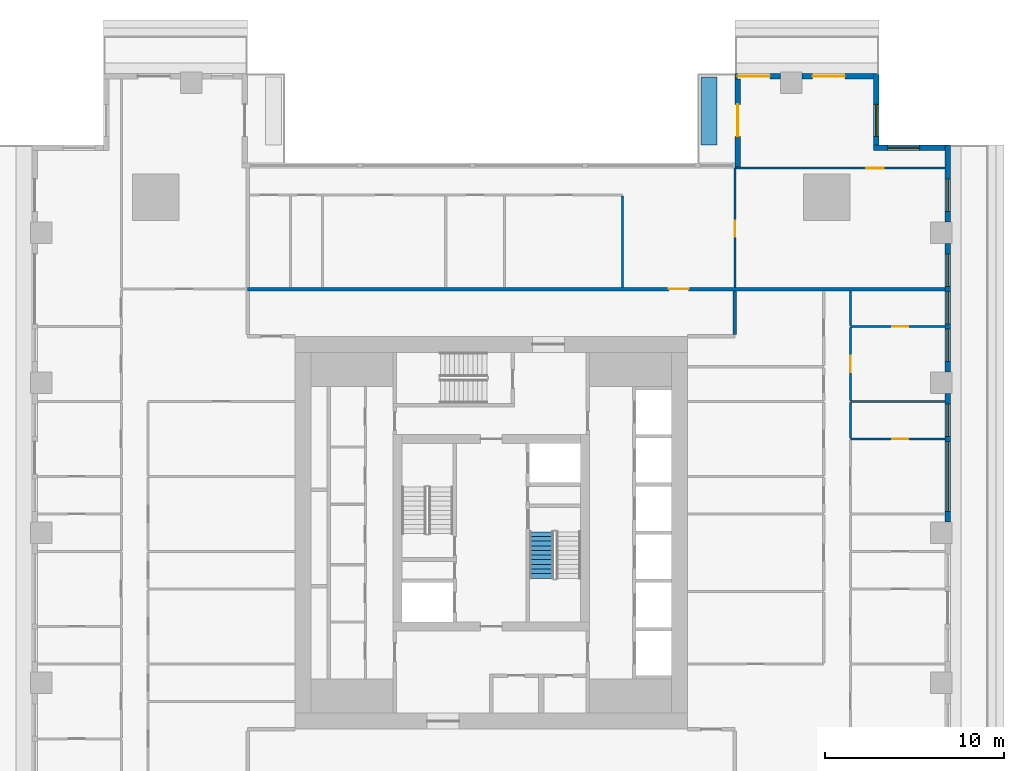
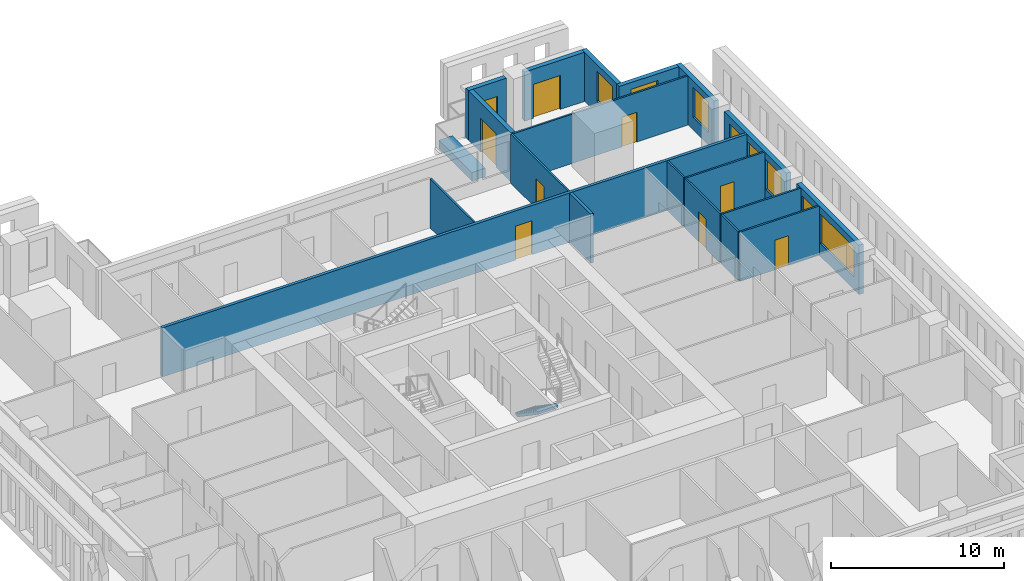
# One storey, part 9 of 16: 20 walls, 9 doors, 8 windows, 1 stair flight, 17 openings, 1 element without a shape of its own.
"""IFC4 building model written with IfcOpenShell, lengths in metres."""

from ifc_helpers import new_model, si_unit, direction, frame, frame_2d, origin, place, context, subcontext, project, spatial, polyline, rectangle, outline, extrude, material, layer, layer_set, type_object, element, fill, aggregate, save


model = new_model("IFC4")

# Units and contexts
model_context = context("Model", 3, precision=1e-05, world=origin(), true_north=direction((0.0, 1.0)))
body_context = subcontext(model_context, "Body", "Model", "MODEL_VIEW")
ifc_project = project(units=[si_unit("LENGTHUNIT", "METRE"), si_unit("AREAUNIT", "SQUARE_METRE"), si_unit("VOLUMEUNIT", "CUBIC_METRE"), si_unit("PLANEANGLEUNIT", "RADIAN"), si_unit("MASSUNIT", "GRAM", prefix="KILO")], contexts=[model_context])

# Site, building, storey
site_placement = place(None, origin())
site = spatial("IfcSite", under=ifc_project, at=site_placement, CompositionType="ELEMENT")
building_placement = place(site_placement, origin())
building = spatial("IfcBuilding", under=site, at=building_placement, Name="Khepri Terraces", CompositionType="ELEMENT")
storey_placement = place(building_placement, frame((0.0, 0.0, 172.800048828125)))
storey = spatial("IfcBuildingStorey", under=building, at=storey_placement, Name="L41", CompositionType="ELEMENT", Elevation=172.800048828125)

# Wall
ifc_material_1 = material(Name="Fire-rated gypsum plasterboard partition, mineral wool")
ifc_layer_1 = layer(ifc_material_1, 0.199951171875, Name="Fire-rated gypsum plasterboard partition, mineral wool")
ifc_layer_set_1 = layer_set([ifc_layer_1], Name="Fire-rated gypsum plasterboard partition, mineral wool")
wall_type_1 = type_object("IfcWallType", Name="WL-CORR-200", PredefinedType="PARTITIONING", material=ifc_layer_set_1)
wall_1_placement = place(storey_placement, frame((13.64990234375, 11.10009765625, 0.0), z_axis=(0.0, 0.0, 1.0), x_axis=(0.0, 1.0, 0.0)))
element("IfcWall", 1, at=wall_1_placement, inside=storey, type_object=wall_type_1, Name="Partition P-086 L41", PredefinedType="PARTITIONING", context=body_context, shape_type="SweptSolid", body=[
    extrude(rectangle(XDim=2.449951171875, YDim=0.199951171875, at=frame_2d((1.22509765625, 0.0))), origin(), (0.0, 0.0, 1.0), 3.47998046875),
])

# Wall, opening, door
wall_2_placement = place(storey_placement, frame((-13.64990234375, 13.64990234375, 0.0), z_axis=(0.0, 0.0, 1.0), x_axis=(1.0, 0.0, 0.0)))
wall_2 = element("IfcWall", 2, at=wall_2_placement, inside=storey, type_object=wall_type_1, Name="Partition P-092 L41", PredefinedType="PARTITIONING", context=body_context, shape_type="SweptSolid", body=[
    extrude(rectangle(XDim=39.06982421875, YDim=0.199951171875, at=frame_2d((19.534912109375, 0.0))), origin(), (0.0, 0.0, 1.0), 3.47998046875),
])
opening_1_placement = place(wall_2_placement, frame((23.60009765625, 0.0, 0.0)))
opening_1 = element("IfcOpeningElement", 3, at=opening_1_placement, cuts=wall_2, Name="Opening D1", PredefinedType="OPENING", context=body_context, shape_type="SweptSolid", body=[
    extrude(rectangle(XDim=1.10009765625, YDim=2.39990234375, at=frame_2d((0.550048828125, 1.199951171875))), frame((0.0, 0.10986328125, 0.0), z_axis=(0.0, -1.0, 0.0), x_axis=(1.0, 0.0, 0.0)), (0.0, 0.0, 1.0), 0.219970703125),
])
ifc_material_2 = material(Name="Solid-core timber door leaf, flat entrance door", Category="wood")
door_type_1 = type_object("IfcDoorType", Name="DR-ENT-1100", OperationType="NOTDEFINED", PredefinedType="DOOR", material=ifc_material_2)
door_1_placement = place(opening_1_placement, origin())
door_1 = element("IfcDoor", 4, at=door_1_placement, inside=storey, type_object=door_type_1, Name="Flat C1 entrance door", OperationType="SINGLE_SWING_RIGHT", OverallHeight=2.39990234375, OverallWidth=1.10009765625, PredefinedType="DOOR", context=body_context, shape_type="SweptSolid", body=[
    extrude(rectangle(XDim=1.10009765625, YDim=2.39990234375, at=frame_2d((0.550048828125, 1.199951171875))), frame((0.0, 0.02490234375, 0.0), z_axis=(0.0, -1.0, 0.0), x_axis=(1.0, 0.0, 0.0)), (0.0, 0.0, 1.0), 0.050048828125),
])
fill(opening_1, door_1)

# Wall, openings, windows
ifc_material_3 = material(Name="Precast concrete C50/60 warm stone", Category="masonry")
ifc_layer_2 = layer(ifc_material_3, 0.300048828125, Name="Precast concrete C50/60 warm stone", Category="masonry")
ifc_layer_set_2 = layer_set([ifc_layer_2], Name="Precast concrete C50/60 warm stone")
wall_type_2 = type_object("IfcWallType", Name="WL-EXT-PRECAST-300", PredefinedType="STANDARD", material=ifc_layer_set_2)
wall_3_placement = place(storey_placement, frame((25.570068359375, 0.60009765625, 0.0), z_axis=(0.0, 0.0, 1.0), x_axis=(0.0, 1.0, 0.0)))
wall_3 = element("IfcWall", 5, at=wall_3_placement, inside=storey, type_object=wall_type_2, Name="External wall L41 E", PredefinedType="STANDARD", context=body_context, shape_type="SweptSolid", body=[
    extrude(rectangle(XDim=7.199951171875, YDim=0.300048828125, at=frame_2d((3.60009765625, 0.0))), origin(), (0.0, 0.0, 1.0), 3.47998046875),
])
opening_2_placement = place(wall_3_placement, frame((0.60009765625, 0.0, 0.89990234375)))
opening_2 = element("IfcOpeningElement", 6, at=opening_2_placement, cuts=wall_3, Name="Opening W2", PredefinedType="OPENING", context=body_context, shape_type="SweptSolid", body=[
    extrude(rectangle(XDim=3.89990234375, YDim=2.10009765625, at=frame_2d((1.949951171875, 1.050048828125))), frame((0.0, 0.16015625, 0.0), z_axis=(0.0, -1.0, 0.0), x_axis=(1.0, 0.0, 0.0)), (0.0, 0.0, 1.0), 0.320068359375),
])
opening_3_placement = place(wall_3_placement, frame((4.800048828125, 0.0, 0.89990234375)))
opening_3 = element("IfcOpeningElement", 7, at=opening_3_placement, cuts=wall_3, Name="Opening W1", PredefinedType="OPENING", context=body_context, shape_type="SweptSolid", body=[
    extrude(rectangle(XDim=1.800048828125, YDim=2.10009765625, at=frame_2d((0.89990234375, 1.050048828125))), frame((0.0, 0.16015625, 0.0), z_axis=(0.0, -1.0, 0.0), x_axis=(1.0, 0.0, 0.0)), (0.0, 0.0, 1.0), 0.320068359375),
])
ifc_material_4 = material(Name="Clear glass", Category="glass")
window_type_1 = type_object("IfcWindowType", Name="WIN-RES-1800x2100", PartitioningType="SINGLE_PANEL", PredefinedType="WINDOW", material=ifc_material_4)
window_1_placement = place(opening_3_placement, origin())
window_1 = element("IfcWindow", 8, at=window_1_placement, inside=storey, type_object=window_type_1, Name="Window L41 E", OverallHeight=2.10009765625, OverallWidth=1.800048828125, PartitioningType="SINGLE_PANEL", PredefinedType="WINDOW", context=body_context, shape_type="SweptSolid", body=[
    extrude(rectangle(XDim=1.800048828125, YDim=2.10009765625, at=frame_2d((0.89990234375, 1.050048828125))), frame((0.0, 0.030029296875, 0.0), z_axis=(0.0, -1.0, 0.0), x_axis=(1.0, 0.0, 0.0)), (0.0, 0.0, 1.0), 0.06005859375),
])
fill(opening_3, window_1)
window_type_2 = type_object("IfcWindowType", Name="WIN-RES-3900x2100", PartitioningType="SINGLE_PANEL", PredefinedType="WINDOW", material=ifc_material_4)
window_2_placement = place(opening_2_placement, origin())
window_2 = element("IfcWindow", 9, at=window_2_placement, inside=storey, type_object=window_type_2, Name="Window L41 E", OverallHeight=2.10009765625, OverallWidth=3.89990234375, PartitioningType="SINGLE_PANEL", PredefinedType="WINDOW", context=body_context, shape_type="SweptSolid", body=[
    extrude(rectangle(XDim=3.89990234375, YDim=2.10009765625, at=frame_2d((1.949951171875, 1.050048828125))), frame((0.0, 0.030029296875, 0.0), z_axis=(0.0, -1.0, 0.0), x_axis=(1.0, 0.0, 0.0)), (0.0, 0.0, 1.0), 0.06005859375),
])
fill(opening_2, window_2)

wall_4_placement = place(storey_placement, frame((25.570068359375, 9.0, 0.0), z_axis=(0.0, 0.0, 1.0), x_axis=(0.0, 1.0, 0.0)))
wall_4 = element("IfcWall", 10, at=wall_4_placement, inside=storey, type_object=wall_type_2, Name="External wall L41 E", PredefinedType="STANDARD", context=body_context, shape_type="SweptSolid", body=[
    extrude(rectangle(XDim=7.199951171875, YDim=0.300048828125, at=frame_2d((3.60009765625, 0.0))), origin(), (0.0, 0.0, 1.0), 3.47998046875),
])
opening_4_placement = place(wall_4_placement, frame((0.60009765625, 0.0, 0.89990234375)))
opening_4 = element("IfcOpeningElement", 11, at=opening_4_placement, cuts=wall_4, Name="Opening W1", PredefinedType="OPENING", context=body_context, shape_type="SweptSolid", body=[
    extrude(rectangle(XDim=1.800048828125, YDim=2.10009765625, at=frame_2d((0.89990234375, 1.050048828125))), frame((0.0, 0.16015625, 0.0), z_axis=(0.0, -1.0, 0.0), x_axis=(1.0, 0.0, 0.0)), (0.0, 0.0, 1.0), 0.320068359375),
])
opening_5_placement = place(wall_4_placement, frame((2.699951171875, 0.0, 0.89990234375)))
opening_5 = element("IfcOpeningElement", 12, at=opening_5_placement, cuts=wall_4, Name="Opening W1", PredefinedType="OPENING", context=body_context, shape_type="SweptSolid", body=[
    extrude(rectangle(XDim=1.800048828125, YDim=2.10009765625, at=frame_2d((0.89990234375, 1.050048828125))), frame((0.0, 0.16015625, 0.0), z_axis=(0.0, -1.0, 0.0), x_axis=(1.0, 0.0, 0.0)), (0.0, 0.0, 1.0), 0.320068359375),
])
opening_6_placement = place(wall_4_placement, frame((4.800048828125, 0.0, 0.89990234375)))
opening_6 = element("IfcOpeningElement", 13, at=opening_6_placement, cuts=wall_4, Name="Opening W1", PredefinedType="OPENING", context=body_context, shape_type="SweptSolid", body=[
    extrude(rectangle(XDim=1.800048828125, YDim=2.10009765625, at=frame_2d((0.89990234375, 1.050048828125))), frame((0.0, 0.16015625, 0.0), z_axis=(0.0, -1.0, 0.0), x_axis=(1.0, 0.0, 0.0)), (0.0, 0.0, 1.0), 0.320068359375),
])
window_3_placement = place(opening_4_placement, origin())
window_3 = element("IfcWindow", 14, at=window_3_placement, inside=storey, type_object=window_type_1, Name="Window L41 E", OverallHeight=2.10009765625, OverallWidth=1.800048828125, PartitioningType="SINGLE_PANEL", PredefinedType="WINDOW", context=body_context, shape_type="SweptSolid", body=[
    extrude(rectangle(XDim=1.800048828125, YDim=2.10009765625, at=frame_2d((0.89990234375, 1.050048828125))), frame((0.0, 0.030029296875, 0.0), z_axis=(0.0, -1.0, 0.0), x_axis=(1.0, 0.0, 0.0)), (0.0, 0.0, 1.0), 0.06005859375),
])
fill(opening_4, window_3)
window_4_placement = place(opening_5_placement, origin())
window_4 = element("IfcWindow", 15, at=window_4_placement, inside=storey, type_object=window_type_1, Name="Window L41 E", OverallHeight=2.10009765625, OverallWidth=1.800048828125, PartitioningType="SINGLE_PANEL", PredefinedType="WINDOW", context=body_context, shape_type="SweptSolid", body=[
    extrude(rectangle(XDim=1.800048828125, YDim=2.10009765625, at=frame_2d((0.89990234375, 1.050048828125))), frame((0.0, 0.030029296875, 0.0), z_axis=(0.0, -1.0, 0.0), x_axis=(1.0, 0.0, 0.0)), (0.0, 0.0, 1.0), 0.06005859375),
])
fill(opening_5, window_4)
window_5_placement = place(opening_6_placement, origin())
window_5 = element("IfcWindow", 16, at=window_5_placement, inside=storey, type_object=window_type_1, Name="Window L41 E", OverallHeight=2.10009765625, OverallWidth=1.800048828125, PartitioningType="SINGLE_PANEL", PredefinedType="WINDOW", context=body_context, shape_type="SweptSolid", body=[
    extrude(rectangle(XDim=1.800048828125, YDim=2.10009765625, at=frame_2d((0.89990234375, 1.050048828125))), frame((0.0, 0.030029296875, 0.0), z_axis=(0.0, -1.0, 0.0), x_axis=(1.0, 0.0, 0.0)), (0.0, 0.0, 1.0), 0.06005859375),
])
fill(opening_6, window_5)

# Wall, opening, window
wall_5_placement = place(storey_placement, frame((25.570068359375, 17.39990234375, 0.0), z_axis=(0.0, 0.0, 1.0), x_axis=(0.0, 1.0, 0.0)))
wall_5 = element("IfcWall", 17, at=wall_5_placement, inside=storey, type_object=wall_type_2, Name="External wall L41 E", PredefinedType="STANDARD", context=body_context, shape_type="SweptSolid", body=[
    extrude(rectangle(XDim=4.320068359375, YDim=0.300048828125, at=frame_2d((2.16015625, 0.0))), origin(), (0.0, 0.0, 1.0), 3.47998046875),
])
opening_7_placement = place(wall_5_placement, frame((0.60009765625, 0.0, 0.89990234375)))
opening_7 = element("IfcOpeningElement", 18, at=opening_7_placement, cuts=wall_5, Name="Opening W1", PredefinedType="OPENING", context=body_context, shape_type="SweptSolid", body=[
    extrude(rectangle(XDim=1.800048828125, YDim=2.10009765625, at=frame_2d((0.89990234375, 1.050048828125))), frame((0.0, 0.16015625, 0.0), z_axis=(0.0, -1.0, 0.0), x_axis=(1.0, 0.0, 0.0)), (0.0, 0.0, 1.0), 0.320068359375),
])
window_6_placement = place(opening_7_placement, origin())
window_6 = element("IfcWindow", 19, at=window_6_placement, inside=storey, type_object=window_type_1, Name="Window L41 E", OverallHeight=2.10009765625, OverallWidth=1.800048828125, PartitioningType="SINGLE_PANEL", PredefinedType="WINDOW", context=body_context, shape_type="SweptSolid", body=[
    extrude(rectangle(XDim=1.800048828125, YDim=2.10009765625, at=frame_2d((0.89990234375, 1.050048828125))), frame((0.0, 0.030029296875, 0.0), z_axis=(0.0, -1.0, 0.0), x_axis=(1.0, 0.0, 0.0)), (0.0, 0.0, 1.0), 0.06005859375),
])
fill(opening_7, window_6)

wall_6_placement = place(storey_placement, frame((25.419921875, 21.570068359375, 0.0), z_axis=(0.0, 0.0, 1.0), x_axis=(-1.0, 0.0, 0.0)))
wall_6 = element("IfcWall", 20, at=wall_6_placement, inside=storey, type_object=wall_type_2, Name="External wall L41 N", PredefinedType="STANDARD", context=body_context, shape_type="SweptSolid", body=[
    extrude(rectangle(XDim=4.0, YDim=0.300048828125, at=frame_2d((2.0, 0.0))), origin(), (0.0, 0.0, 1.0), 3.47998046875),
])
opening_8_placement = place(wall_6_placement, frame((1.419921875, 0.0, 0.89990234375)))
opening_8 = element("IfcOpeningElement", 21, at=opening_8_placement, cuts=wall_6, Name="Opening W1", PredefinedType="OPENING", context=body_context, shape_type="SweptSolid", body=[
    extrude(rectangle(XDim=1.800048828125, YDim=2.10009765625, at=frame_2d((0.89990234375, 1.050048828125))), frame((0.0, 0.16015625, 0.0), z_axis=(0.0, -1.0, 0.0), x_axis=(1.0, 0.0, 0.0)), (0.0, 0.0, 1.0), 0.320068359375),
])
window_7_placement = place(opening_8_placement, origin())
window_7 = element("IfcWindow", 22, at=window_7_placement, inside=storey, type_object=window_type_1, Name="Window L41 N", OverallHeight=2.10009765625, OverallWidth=1.800048828125, PartitioningType="SINGLE_PANEL", PredefinedType="WINDOW", context=body_context, shape_type="SweptSolid", body=[
    extrude(rectangle(XDim=1.800048828125, YDim=2.10009765625, at=frame_2d((0.89990234375, 1.050048828125))), frame((0.0, 0.030029296875, 0.0), z_axis=(0.0, -1.0, 0.0), x_axis=(1.0, 0.0, 0.0)), (0.0, 0.0, 1.0), 0.06005859375),
])
fill(opening_8, window_7)

wall_7_placement = place(storey_placement, frame((21.570068359375, 21.719970703125, 0.0), z_axis=(0.0, 0.0, 1.0), x_axis=(0.0, 1.0, 0.0)))
wall_7 = element("IfcWall", 23, at=wall_7_placement, inside=storey, type_object=wall_type_2, Name="External wall L41 E", PredefinedType="STANDARD", context=body_context, shape_type="SweptSolid", body=[
    extrude(rectangle(XDim=4.0, YDim=0.300048828125, at=frame_2d((2.0, 0.0))), origin(), (0.0, 0.0, 1.0), 3.47998046875),
])
opening_9_placement = place(wall_7_placement, frame((0.47998046875, 0.0, 0.89990234375)))
opening_9 = element("IfcOpeningElement", 24, at=opening_9_placement, cuts=wall_7, Name="Opening W1", PredefinedType="OPENING", context=body_context, shape_type="SweptSolid", body=[
    extrude(rectangle(XDim=1.800048828125, YDim=2.10009765625, at=frame_2d((0.89990234375, 1.050048828125))), frame((0.0, 0.16015625, 0.0), z_axis=(0.0, -1.0, 0.0), x_axis=(1.0, 0.0, 0.0)), (0.0, 0.0, 1.0), 0.320068359375),
])
window_8_placement = place(opening_9_placement, origin())
window_8 = element("IfcWindow", 25, at=window_8_placement, inside=storey, type_object=window_type_1, Name="Window L41 E", OverallHeight=2.10009765625, OverallWidth=1.800048828125, PartitioningType="SINGLE_PANEL", PredefinedType="WINDOW", context=body_context, shape_type="SweptSolid", body=[
    extrude(rectangle(XDim=1.800048828125, YDim=2.10009765625, at=frame_2d((0.89990234375, 1.050048828125))), frame((0.0, 0.030029296875, 0.0), z_axis=(0.0, -1.0, 0.0), x_axis=(1.0, 0.0, 0.0)), (0.0, 0.0, 1.0), 0.06005859375),
])
fill(opening_9, window_8)

# Wall, opening, door
wall_8_placement = place(storey_placement, frame((21.419921875, 25.570068359375, 0.0), z_axis=(0.0, 0.0, 1.0), x_axis=(-1.0, 0.0, 0.0)))
wall_8 = element("IfcWall", 26, at=wall_8_placement, inside=storey, type_object=wall_type_2, Name="External wall L41 N", PredefinedType="STANDARD", context=body_context, shape_type="SweptSolid", body=[
    extrude(rectangle(XDim=4.02001953125, YDim=0.300048828125, at=frame_2d((2.010009765625, 0.0))), origin(), (0.0, 0.0, 1.0), 3.47998046875),
])
opening_10_placement = place(wall_8_placement, frame((1.6201171875, 0.0, 0.0)))
opening_10 = element("IfcOpeningElement", 27, at=opening_10_placement, cuts=wall_8, Name="Opening ED-L41-04", PredefinedType="OPENING", context=body_context, shape_type="SweptSolid", body=[
    extrude(rectangle(XDim=1.800048828125, YDim=2.39990234375, at=frame_2d((0.89990234375, 1.199951171875))), frame((0.0, 0.16015625, 0.0), z_axis=(0.0, -1.0, 0.0), x_axis=(1.0, 0.0, 0.0)), (0.0, 0.0, 1.0), 0.320068359375),
])
ifc_material_5 = material(Name="Anodised aluminium bronze glazed door", Category="aluminium")
door_type_2 = type_object("IfcDoorType", Name="DR-BAL-SLIDE-1800x2400", OperationType="NOTDEFINED", PredefinedType="DOOR", material=ifc_material_5)
door_2_placement = place(opening_10_placement, origin())
door_2 = element("IfcDoor", 28, at=door_2_placement, inside=storey, type_object=door_type_2, Name="Balcony door L41 N", OperationType="SLIDING_TO_RIGHT", OverallHeight=2.39990234375, OverallWidth=1.800048828125, PredefinedType="DOOR", context=body_context, shape_type="SweptSolid", body=[
    extrude(rectangle(XDim=1.800048828125, YDim=2.39990234375, at=frame_2d((0.89990234375, 1.199951171875))), frame((0.0, 0.02490234375, 0.0), z_axis=(0.0, -1.0, 0.0), x_axis=(1.0, 0.0, 0.0)), (0.0, 0.0, 1.0), 0.050048828125),
])
fill(opening_10, door_2)

wall_9_placement = place(storey_placement, frame((16.199951171875, 25.570068359375, 0.0), z_axis=(0.0, 0.0, 1.0), x_axis=(-1.0, 0.0, 0.0)))
wall_9 = element("IfcWall", 29, at=wall_9_placement, inside=storey, type_object=wall_type_2, Name="External wall L41 N", PredefinedType="STANDARD", context=body_context, shape_type="SweptSolid", body=[
    extrude(rectangle(XDim=2.550048828125, YDim=0.300048828125, at=frame_2d((1.27490234375, 0.0))), origin(), (0.0, 0.0, 1.0), 3.47998046875),
])
opening_11_placement = place(wall_9_placement, frame((0.60009765625, 0.0, 0.0)))
opening_11 = element("IfcOpeningElement", 30, at=opening_11_placement, cuts=wall_9, Name="Opening ED-L41-05", PredefinedType="OPENING", context=body_context, shape_type="SweptSolid", body=[
    extrude(rectangle(XDim=1.800048828125, YDim=2.39990234375, at=frame_2d((0.89990234375, 1.199951171875))), frame((0.0, 0.16015625, 0.0), z_axis=(0.0, -1.0, 0.0), x_axis=(1.0, 0.0, 0.0)), (0.0, 0.0, 1.0), 0.320068359375),
])
door_3_placement = place(opening_11_placement, origin())
door_3 = element("IfcDoor", 31, at=door_3_placement, inside=storey, type_object=door_type_2, Name="Balcony door L41 N", OperationType="SLIDING_TO_LEFT", OverallHeight=2.39990234375, OverallWidth=1.800048828125, PredefinedType="DOOR", context=body_context, shape_type="SweptSolid", body=[
    extrude(rectangle(XDim=1.800048828125, YDim=2.39990234375, at=frame_2d((0.89990234375, 1.199951171875))), frame((0.0, 0.02490234375, 0.0), z_axis=(0.0, -1.0, 0.0), x_axis=(1.0, 0.0, 0.0)), (0.0, 0.0, 1.0), 0.050048828125),
])
fill(opening_11, door_3)

wall_10_placement = place(storey_placement, frame((13.800048828125, 25.419921875, 0.0), z_axis=(0.0, 0.0, 1.0), x_axis=(0.0, -1.0, 0.0)))
wall_10 = element("IfcWall", 32, at=wall_10_placement, inside=storey, type_object=wall_type_2, Name="External wall L41 W", PredefinedType="STANDARD", context=body_context, shape_type="SweptSolid", body=[
    extrude(rectangle(XDim=5.0, YDim=0.300048828125, at=frame_2d((2.5, 0.0))), origin(), (0.0, 0.0, 1.0), 3.47998046875),
])
opening_12_placement = place(wall_10_placement, frame((1.419921875, 0.0, 0.0)))
opening_12 = element("IfcOpeningElement", 33, at=opening_12_placement, cuts=wall_10, Name="Opening ED-L41-06", PredefinedType="OPENING", context=body_context, shape_type="SweptSolid", body=[
    extrude(rectangle(XDim=1.800048828125, YDim=2.39990234375, at=frame_2d((0.89990234375, 1.199951171875))), frame((0.0, 0.16015625, 0.0), z_axis=(0.0, -1.0, 0.0), x_axis=(1.0, 0.0, 0.0)), (0.0, 0.0, 1.0), 0.320068359375),
])
door_4_placement = place(opening_12_placement, origin())
door_4 = element("IfcDoor", 34, at=door_4_placement, inside=storey, type_object=door_type_2, Name="Balcony door L41 W", OperationType="SLIDING_TO_LEFT", OverallHeight=2.39990234375, OverallWidth=1.800048828125, PredefinedType="DOOR", context=body_context, shape_type="SweptSolid", body=[
    extrude(rectangle(XDim=1.800048828125, YDim=2.39990234375, at=frame_2d((0.89990234375, 1.199951171875))), frame((0.0, 0.02490234375, 0.0), z_axis=(0.0, -1.0, 0.0), x_axis=(1.0, 0.0, 0.0)), (0.0, 0.0, 1.0), 0.050048828125),
])
fill(opening_12, door_4)

ifc_material_6 = material(Name="Gypsum plasterboard partition")
ifc_layer_3 = layer(ifc_material_6, 0.1201171875, Name="Gypsum plasterboard partition")
ifc_layer_set_3 = layer_set([ifc_layer_3], Name="Gypsum plasterboard partition")
wall_type_3 = type_object("IfcWallType", Name="WL-PART-120", PredefinedType="PARTITIONING", material=ifc_layer_set_3)
wall_11_placement = place(storey_placement, frame((20.1201171875, 5.25, 0.0), z_axis=(0.0, 0.0, 1.0), x_axis=(1.0, 0.0, 0.0)))
wall_11 = element("IfcWall", 35, at=wall_11_placement, inside=storey, type_object=wall_type_3, Name="Partition P-072 L41", PredefinedType="PARTITIONING", context=body_context, shape_type="SweptSolid", body=[
    extrude(rectangle(XDim=5.2998046875, YDim=0.1201171875, at=frame_2d((2.64990234375, 0.0))), origin(), (0.0, 0.0, 1.0), 3.47998046875),
])
opening_13_placement = place(wall_11_placement, frame((2.35009765625, 0.0, 0.0)))
opening_13 = element("IfcOpeningElement", 36, at=opening_13_placement, cuts=wall_11, Name="Opening D4", PredefinedType="OPENING", context=body_context, shape_type="SweptSolid", body=[
    extrude(rectangle(XDim=0.89990234375, YDim=2.10009765625, at=frame_2d((0.449951171875, 1.050048828125))), frame((0.0, 0.070068359375, 0.0), z_axis=(0.0, -1.0, 0.0), x_axis=(1.0, 0.0, 0.0)), (0.0, 0.0, 1.0), 0.14013671875),
])
ifc_material_7 = material(Name="Timber door leaf, moisture resistant", Category="wood")
door_type_3 = type_object("IfcDoorType", Name="DR-WET-900", OperationType="NOTDEFINED", PredefinedType="DOOR", material=ifc_material_7)
door_5_placement = place(opening_13_placement, origin())
door_5 = element("IfcDoor", 37, at=door_5_placement, inside=storey, type_object=door_type_3, Name="Door Bathroom", OperationType="SINGLE_SWING_RIGHT", OverallHeight=2.10009765625, OverallWidth=0.89990234375, PredefinedType="DOOR", context=body_context, shape_type="SweptSolid", body=[
    extrude(rectangle(XDim=0.89990234375, YDim=2.10009765625, at=frame_2d((0.449951171875, 1.050048828125))), frame((0.0, 0.02490234375, 0.0), z_axis=(0.0, -1.0, 0.0), x_axis=(1.0, 0.0, 0.0)), (0.0, 0.0, 1.0), 0.050048828125),
])
fill(opening_13, door_5)

# Walls
wall_12_placement = place(storey_placement, frame((20.1201171875, 5.31005859375, 0.0), z_axis=(0.0, 0.0, 1.0), x_axis=(0.0, 1.0, 0.0)))
element("IfcWall", 38, at=wall_12_placement, inside=storey, type_object=wall_type_3, Name="Partition P-073 L41", PredefinedType="PARTITIONING", context=body_context, shape_type="SweptSolid", body=[
    extrude(rectangle(XDim=1.97998046875, YDim=0.1201171875, at=frame_2d((0.989990234375, 0.0))), origin(), (0.0, 0.0, 1.0), 3.47998046875),
])
wall_13_placement = place(storey_placement, frame((20.1201171875, 7.35009765625, 0.0), z_axis=(0.0, 0.0, 1.0), x_axis=(1.0, 0.0, 0.0)))
element("IfcWall", 39, at=wall_13_placement, inside=storey, type_object=wall_type_3, Name="Partition P-077 L41", PredefinedType="PARTITIONING", context=body_context, shape_type="SweptSolid", body=[
    extrude(rectangle(XDim=5.2998046875, YDim=0.1201171875, at=frame_2d((2.64990234375, 0.0))), origin(), (0.0, 0.0, 1.0), 3.47998046875),
])

# Wall, opening, door
wall_14_placement = place(storey_placement, frame((20.1201171875, 7.409912109375, 0.0), z_axis=(0.0, 0.0, 1.0), x_axis=(0.0, 1.0, 0.0)))
wall_14 = element("IfcWall", 40, at=wall_14_placement, inside=storey, type_object=wall_type_3, Name="Partition P-080 L41", PredefinedType="PARTITIONING", context=body_context, shape_type="SweptSolid", body=[
    extrude(rectangle(XDim=4.080078125, YDim=0.1201171875, at=frame_2d((2.0400390625, 0.0))), origin(), (0.0, 0.0, 1.0), 3.47998046875),
])
opening_14_placement = place(wall_14_placement, frame((1.590087890625, 0.0, 0.0)))
opening_14 = element("IfcOpeningElement", 41, at=opening_14_placement, cuts=wall_14, Name="Opening D3", PredefinedType="OPENING", context=body_context, shape_type="SweptSolid", body=[
    extrude(rectangle(XDim=0.89990234375, YDim=2.10009765625, at=frame_2d((0.449951171875, 1.050048828125))), frame((0.0, 0.070068359375, 0.0), z_axis=(0.0, -1.0, 0.0), x_axis=(1.0, 0.0, 0.0)), (0.0, 0.0, 1.0), 0.14013671875),
])
ifc_material_8 = material(Name="Timber door leaf", Category="wood")
door_type_4 = type_object("IfcDoorType", Name="DR-INT-900", OperationType="NOTDEFINED", PredefinedType="DOOR", material=ifc_material_8)
door_6_placement = place(opening_14_placement, frame((0.89990234375, 0.0, 0.0), z_axis=(0.0, 0.0, 1.0), x_axis=(-1.0, 0.0, 0.0)))
door_6 = element("IfcDoor", 42, at=door_6_placement, inside=storey, type_object=door_type_4, Name="Door Bedroom", OperationType="SINGLE_SWING_RIGHT", OverallHeight=2.10009765625, OverallWidth=0.89990234375, PredefinedType="DOOR", context=body_context, shape_type="SweptSolid", body=[
    extrude(rectangle(XDim=0.89990234375, YDim=2.10009765625, at=frame_2d((0.449951171875, 1.050048828125))), frame((0.0, 0.02490234375, 0.0), z_axis=(0.0, -1.0, 0.0), x_axis=(1.0, 0.0, 0.0)), (0.0, 0.0, 1.0), 0.050048828125),
])
fill(opening_14, door_6)

wall_15_placement = place(storey_placement, frame((20.1201171875, 11.550048828125, 0.0), z_axis=(0.0, 0.0, 1.0), x_axis=(1.0, 0.0, 0.0)))
wall_15 = element("IfcWall", 43, at=wall_15_placement, inside=storey, type_object=wall_type_3, Name="Partition P-088 L41", PredefinedType="PARTITIONING", context=body_context, shape_type="SweptSolid", body=[
    extrude(rectangle(XDim=5.2998046875, YDim=0.1201171875, at=frame_2d((2.64990234375, 0.0))), origin(), (0.0, 0.0, 1.0), 3.47998046875),
])
opening_15_placement = place(wall_15_placement, frame((2.35009765625, 0.0, 0.0)))
opening_15 = element("IfcOpeningElement", 44, at=opening_15_placement, cuts=wall_15, Name="Opening D4", PredefinedType="OPENING", context=body_context, shape_type="SweptSolid", body=[
    extrude(rectangle(XDim=0.89990234375, YDim=2.10009765625, at=frame_2d((0.449951171875, 1.050048828125))), frame((0.0, 0.070068359375, 0.0), z_axis=(0.0, -1.0, 0.0), x_axis=(1.0, 0.0, 0.0)), (0.0, 0.0, 1.0), 0.14013671875),
])
door_7_placement = place(opening_15_placement, origin())
door_7 = element("IfcDoor", 45, at=door_7_placement, inside=storey, type_object=door_type_3, Name="Door Bathroom", OperationType="SINGLE_SWING_RIGHT", OverallHeight=2.10009765625, OverallWidth=0.89990234375, PredefinedType="DOOR", context=body_context, shape_type="SweptSolid", body=[
    extrude(rectangle(XDim=0.89990234375, YDim=2.10009765625, at=frame_2d((0.449951171875, 1.050048828125))), frame((0.0, 0.02490234375, 0.0), z_axis=(0.0, -1.0, 0.0), x_axis=(1.0, 0.0, 0.0)), (0.0, 0.0, 1.0), 0.050048828125),
])
fill(opening_15, door_7)

# Walls
wall_16_placement = place(storey_placement, frame((20.1201171875, 11.610107421875, 0.0), z_axis=(0.0, 0.0, 1.0), x_axis=(0.0, 1.0, 0.0)))
element("IfcWall", 46, at=wall_16_placement, inside=storey, type_object=wall_type_3, Name="Partition P-090 L41", PredefinedType="PARTITIONING", context=body_context, shape_type="SweptSolid", body=[
    extrude(rectangle(XDim=1.93994140625, YDim=0.1201171875, at=frame_2d((0.969970703125, 0.0))), origin(), (0.0, 0.0, 1.0), 3.47998046875),
])
wall_17_placement = place(storey_placement, frame((7.35009765625, 13.75, 0.0), z_axis=(0.0, 0.0, 1.0), x_axis=(0.0, 1.0, 0.0)))
element("IfcWall", 47, at=wall_17_placement, inside=storey, type_object=wall_type_3, Name="Partition P-099 L41", PredefinedType="PARTITIONING", context=body_context, shape_type="SweptSolid", body=[
    extrude(rectangle(XDim=5.110107421875, YDim=0.1201171875, at=frame_2d((2.55517578125, 0.0))), origin(), (0.0, 0.0, 1.0), 3.47998046875),
])

# Wall, opening, door
wall_18_placement = place(storey_placement, frame((13.64990234375, 13.75, 0.0), z_axis=(0.0, 0.0, 1.0), x_axis=(0.0, 1.0, 0.0)))
wall_18 = element("IfcWall", 48, at=wall_18_placement, inside=storey, type_object=wall_type_3, Name="Partition P-100 L41", PredefinedType="PARTITIONING", context=body_context, shape_type="SweptSolid", body=[
    extrude(rectangle(XDim=6.6689453125, YDim=0.1201171875, at=frame_2d((3.33447265625, 0.0))), origin(), (0.0, 0.0, 1.0), 3.47998046875),
])
opening_16_placement = place(wall_18_placement, frame((2.83447265625, 0.0, 0.0)))
opening_16 = element("IfcOpeningElement", 49, at=opening_16_placement, cuts=wall_18, Name="Opening D3", PredefinedType="OPENING", context=body_context, shape_type="SweptSolid", body=[
    extrude(rectangle(XDim=0.89990234375, YDim=2.10009765625, at=frame_2d((0.449951171875, 1.050048828125))), frame((0.0, 0.070068359375, 0.0), z_axis=(0.0, -1.0, 0.0), x_axis=(1.0, 0.0, 0.0)), (0.0, 0.0, 1.0), 0.14013671875),
])
door_8_placement = place(opening_16_placement, frame((0.89990234375, 0.0, 0.0), z_axis=(0.0, 0.0, 1.0), x_axis=(-1.0, 0.0, 0.0)))
door_8 = element("IfcDoor", 50, at=door_8_placement, inside=storey, type_object=door_type_4, Name="Door Library", OperationType="SINGLE_SWING_RIGHT", OverallHeight=2.10009765625, OverallWidth=0.89990234375, PredefinedType="DOOR", context=body_context, shape_type="SweptSolid", body=[
    extrude(rectangle(XDim=0.89990234375, YDim=2.10009765625, at=frame_2d((0.449951171875, 1.050048828125))), frame((0.0, 0.02490234375, 0.0), z_axis=(0.0, -1.0, 0.0), x_axis=(1.0, 0.0, 0.0)), (0.0, 0.0, 1.0), 0.050048828125),
])
fill(opening_16, door_8)

wall_19_placement = place(storey_placement, frame((13.65087890625, 20.419921875, 0.0), z_axis=(0.0, 0.0, 1.0), x_axis=(1.0, 0.0, 0.0)))
wall_19 = element("IfcWall", 51, at=wall_19_placement, inside=storey, type_object=wall_type_3, Name="Partition P-102 L41", PredefinedType="PARTITIONING", context=body_context, shape_type="SweptSolid", body=[
    extrude(rectangle(XDim=11.76904296875, YDim=0.1201171875, at=frame_2d((5.884521484375, 0.0))), origin(), (0.0, 0.0, 1.0), 3.47998046875),
])
opening_17_placement = place(wall_19_placement, frame((7.344970703125, 0.0, 0.0)))
opening_17 = element("IfcOpeningElement", 52, at=opening_17_placement, cuts=wall_19, Name="Opening D2", PredefinedType="OPENING", context=body_context, shape_type="SweptSolid", body=[
    extrude(rectangle(XDim=1.0, YDim=2.10009765625, at=frame_2d((0.5, 1.050048828125))), frame((0.0, 0.070068359375, 0.0), z_axis=(0.0, -1.0, 0.0), x_axis=(1.0, 0.0, 0.0)), (0.0, 0.0, 1.0), 0.14013671875),
])
ifc_material_9 = material(Name="Timber door leaf, living room door", Category="wood")
door_type_5 = type_object("IfcDoorType", Name="DR-INT-1000", OperationType="NOTDEFINED", PredefinedType="DOOR", material=ifc_material_9)
door_9_placement = place(opening_17_placement, origin())
door_9 = element("IfcDoor", 53, at=door_9_placement, inside=storey, type_object=door_type_5, Name="Door Living Room", OperationType="SINGLE_SWING_RIGHT", OverallHeight=2.10009765625, OverallWidth=1.0, PredefinedType="DOOR", context=body_context, shape_type="SweptSolid", body=[
    extrude(rectangle(XDim=1.0, YDim=2.10009765625, at=frame_2d((0.5, 1.050048828125))), frame((0.0, 0.02490234375, 0.0), z_axis=(0.0, -1.0, 0.0), x_axis=(1.0, 0.0, 0.0)), (0.0, 0.0, 1.0), 0.050048828125),
])
fill(opening_17, door_9)

# Wall
ifc_layer_4 = layer(ifc_material_3, 0.89990234375, Name="Precast concrete C50/60 warm stone", Category="masonry")
ifc_layer_set_4 = layer_set([ifc_layer_4], Name="Precast concrete C50/60 warm stone")
wall_type_4 = type_object("IfcWallType", Name="WL-PLANTER-900", PredefinedType="MOVABLE", material=ifc_layer_set_4)
wall_20_placement = place(storey_placement, frame((12.199951171875, 21.719970703125, 0.0), z_axis=(0.0, 0.0, 1.0), x_axis=(0.0, 1.0, 0.0)))
element("IfcWall", 54, at=wall_20_placement, inside=storey, type_object=wall_type_4, Name="Planter L41", PredefinedType="MOVABLE", context=body_context, shape_type="SweptSolid", body=[
    extrude(rectangle(XDim=3.800048828125, YDim=0.89990234375, at=frame_2d((1.89990234375, 0.0))), origin(), (0.0, 0.0, 1.0), 0.599853515625),
])

# Stair, stair flight
ifc_material_10 = material(Name="Concrete C40/50", Category="concrete")
stair_type = type_object("IfcStairType", Name="STAIR-RC-22R", PredefinedType="HALF_TURN_STAIR", material=ifc_material_10)
stair_placement = place(storey_placement, origin())
stair = element("IfcStair", 55, at=stair_placement, inside=storey, type_object=stair_type, Name="L41 Exit Stair ST-2", PredefinedType="HALF_TURN_STAIR")
stair_flight_type = type_object("IfcStairFlightType", Name="SFL-RC-177.3", PredefinedType="STRAIGHT", material=ifc_material_10)
stair_flight_placement = place(storey_placement, frame((2.824951171875, 0.050048828125, 0.0), z_axis=(0.0, 0.0, 1.0), x_axis=(0.0, -1.0, 0.0)))
stair_flight = element("IfcStairFlight", 56, at=stair_flight_placement, type_object=stair_flight_type, Name="ST-2 flight 1", NumberOfRisers=11, NumberOfTreads=10, PredefinedType="STRAIGHT", RiserHeight=0.177272727, TreadLength=0.26, context=body_context, shape_type="SweptSolid", body=[
    extrude(outline(polyline([(0.0, 0.0), (0.0, 0.17724609375), (0.260009765625, 0.17724609375), (0.260009765625, 0.3544921875), (0.52001953125, 0.3544921875), (0.52001953125, 0.53173828125), (0.780029296875, 0.53173828125), (0.780029296875, 0.708984375), (1.0400390625, 0.708984375), (1.0400390625, 0.886474609375), (1.300048828125, 0.886474609375), (1.300048828125, 1.063720703125), (1.56005859375, 1.063720703125), (1.56005859375, 1.240966796875), (1.820068359375, 1.240966796875), (1.820068359375, 1.418212890625), (2.080078125, 1.418212890625), (2.080078125, 1.595458984375), (2.340087890625, 1.595458984375), (2.340087890625, 1.772705078125), (2.60009765625, 1.772705078125), (2.60009765625, 1.949951171875), (2.60009765625, 1.59130859375), (0.26611328125, 0.0), (0.0, 0.0)])), frame((0.0, 0.675048828125, 0.0), z_axis=(0.0, -1.0, 0.0), x_axis=(1.0, 0.0, 0.0)), (0.0, 0.0, 1.0), 1.35009765625),
])
aggregate(stair, [stair_flight])

save(model, "model.ifc")
